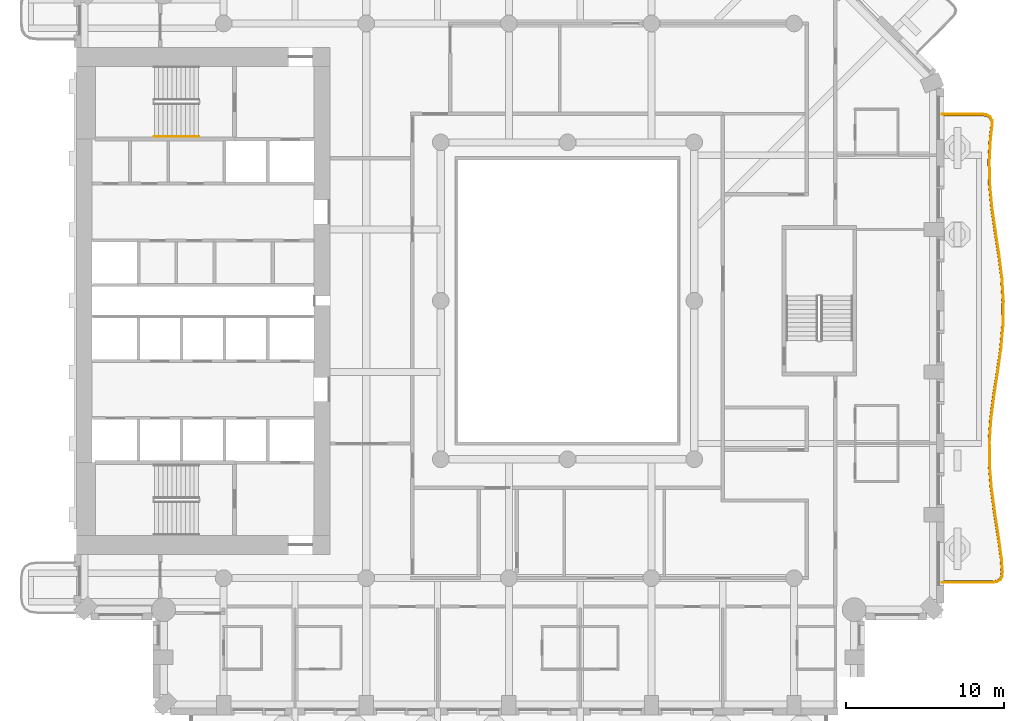
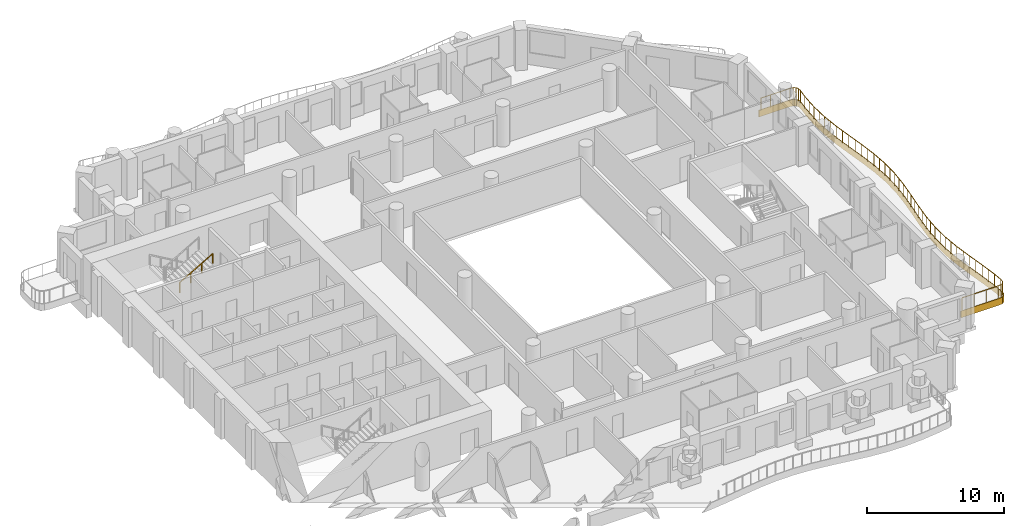
# One storey, part 16 of 20: 2 railings, 1 covering.
"""IFC4 building model written with IfcOpenShell, lengths in metres."""

from ifc_helpers import new_model, si_unit, direction, frame, origin, origin_2d, place, context, subcontext, project, spatial, polyline, rectangle, outline, extrude, material, layer, layer_set, type_object, element, save


model = new_model("IFC4")

# Units and contexts
model_context = context("Model", 3, precision=1e-05, world=origin(), true_north=direction((0.0, 1.0)))
body_context = subcontext(model_context, "Body", "Model", "MODEL_VIEW")
ifc_project = project(units=[si_unit("LENGTHUNIT", "METRE"), si_unit("AREAUNIT", "SQUARE_METRE"), si_unit("VOLUMEUNIT", "CUBIC_METRE"), si_unit("PLANEANGLEUNIT", "RADIAN"), si_unit("MASSUNIT", "GRAM", prefix="KILO")], contexts=[model_context])

# Site, building, storey
site_placement = place(None, origin())
site = spatial("IfcSite", under=ifc_project, at=site_placement, CompositionType="ELEMENT")
building_placement = place(site_placement, origin())
building = spatial("IfcBuilding", under=site, at=building_placement, Name="Cypress Arch Tower", CompositionType="ELEMENT")
storey_placement = place(building_placement, frame((0.0, 0.0, 120.300048828125)))
storey = spatial("IfcBuildingStorey", under=building, at=storey_placement, Name="L25", CompositionType="ELEMENT", Elevation=120.300048828125)

# Covering
ifc_material_1 = material(Name="White powder-coated aluminium fascia", Category="aluminium")
ifc_layer = layer(ifc_material_1, 0.050048828125)
ifc_layer_set = layer_set([ifc_layer], Name="Balcony fascia BF50")
covering_type = type_object("IfcCoveringType", Name="Balcony fascia BF50", PredefinedType="CLADDING", material=ifc_layer_set)
covering_placement = place(storey_placement, frame((0.0, 0.0, -0.60009765625)))
element("IfcCovering", 1, at=covering_placement, inside=storey, type_object=covering_type, Name="Balcony fascia L25-A06", PredefinedType="CLADDING", context=body_context, shape_type="SweptSolid", body=[
    extrude(outline(polyline([(27.19482421875, 11.800048828125), (27.496826171875, 11.75634765625), (27.711669921875, 11.61865234375), (27.8232421875, 11.388671875), (27.83056640625, 11.083984375), (27.7333984375, 10.270751953125), (27.652587890625, 8.79931640625), (27.687255859375, 7.327880859375), (27.828857421875, 5.85595703125), (28.040771484375, 4.38232421875), (28.26806640625, 2.906982421875), (28.451904296875, 1.4296875), (28.54443359375, -0.048828125), (28.521484375, -1.527587890625), (28.388916015625, -3.005615234375), (28.181396484375, -4.482421875), (27.952880859375, -5.95703125), (27.7626953125, -7.429931640625), (27.659912109375, -8.901611328125), (27.6708984375, -10.372802734375), (27.792724609375, -11.844482421875), (27.994384765625, -13.31787109375), (28.2236328125, -14.79296875), (28.420654296875, -16.269775390625), (28.483642578125, -17.0859375), (28.46337890625, -17.390380859375), (28.343505859375, -17.619140625), (28.12451171875, -17.756591796875), (27.822509765625, -17.800048828125), (24.60107421875, -17.800048828125), (24.60107421875, -17.75), (27.81884765625, -17.75), (28.10693359375, -17.70849609375), (28.305419921875, -17.583984375), (28.414306640625, -17.376708984375), (28.43359375, -17.086181640625), (28.370849609375, -16.27490234375), (28.174072265625, -14.800048828125), (27.945068359375, -13.324951171875), (27.7431640625, -11.85009765625), (27.620849609375, -10.375), (27.60986328125, -8.89990234375), (27.712890625, -7.425048828125), (27.903564453125, -5.949951171875), (28.132080078125, -4.47509765625), (28.33935546875, -3.0), (28.471435546875, -1.52490234375), (28.494384765625, -0.050048828125), (28.402099609375, 1.425048828125), (28.218505859375, 2.89990234375), (27.9912109375, 4.375), (27.779296875, 5.85009765625), (27.63720703125, 7.324951171875), (27.6025390625, 8.800048828125), (27.68359375, 10.27490234375), (27.780517578125, 11.086181640625), (27.7734375, 11.376708984375), (27.6728515625, 11.583984375), (27.478759765625, 11.70849609375), (27.19140625, 11.75), (24.60107421875, 11.75), (24.60107421875, 11.800048828125), (27.19482421875, 11.800048828125)])), origin(), (0.0, 0.0, 1.0), 0.60009765625),
])

# Railings
ifc_material_2 = material(Name="Powder-coated steel posts and rods, 100 mm clear between rods", Category="steel")
railing_type_1 = type_object("IfcRailingType", Name="Balcony guard GR1100", PredefinedType="GUARDRAIL", material=ifc_material_2)
railing_1_placement = place(storey_placement, frame((24.75, 11.699951171875, 0.0)))
element("IfcRailing", 2, at=railing_1_placement, inside=storey, type_object=railing_type_1, Name="Balcony guard L25-A06", PredefinedType="GUARDRAIL", context=body_context, shape_type="SweptSolid", body=[
    extrude(rectangle(XDim=0.050048828125, YDim=0.050048828125, at=origin_2d()), frame((0.0, 0.0, 1.0751953125), z_axis=(1.0, 0.0, 0.0), x_axis=(0.0, 1.0, 0.0)), (0.0, 0.0, 1.0), 2.437744140625),
    extrude(rectangle(XDim=0.050048828125, YDim=0.050048828125, at=origin_2d()), frame((2.437744140625, 0.0, 1.0751953125), z_axis=(0.989807470513, -0.142411977437, 0.0), x_axis=(0.142411977437, 0.989807470513, 0.0)), (0.0, 0.0, 1.0), 0.276123046875),
    extrude(rectangle(XDim=0.050048828125, YDim=0.050048828125, at=origin_2d()), frame((2.7109375, -0.039306640625, 1.0751953125), z_axis=(0.841602460972, -0.540097489058, 0.0), x_axis=(0.540097489058, 0.841602460972, 0.0)), (0.0, 0.0, 1.0), 0.20556640625),
    extrude(rectangle(XDim=0.050048828125, YDim=0.050048828125, at=origin_2d()), frame((2.884033203125, -0.150390625, 1.0751953125), z_axis=(0.435778172756, -0.900054100679, 0.0), x_axis=(0.900054100679, 0.435778172756, 0.0)), (0.0, 0.0, 1.0), 0.20556640625),
    extrude(rectangle(XDim=0.050048828125, YDim=0.050048828125, at=origin_2d()), frame((2.9736328125, -0.33544921875, 1.0751953125), z_axis=(0.024771157644, -0.999693147795, 0.0), x_axis=(0.999693147795, 0.024771157644, 0.0)), (0.0, 0.0, 1.0), 0.27587890625),
    extrude(rectangle(XDim=0.050048828125, YDim=0.050048828125, at=origin_2d()), frame((2.98046875, -0.611328125, 1.0751953125), z_axis=(-0.118613703942, -0.99294047618, 0.0), x_axis=(0.99294047618, -0.118613703942, 0.0)), (0.0, 0.0, 1.0), 0.815185546875),
    extrude(rectangle(XDim=0.050048828125, YDim=0.050048828125, at=origin_2d()), frame((2.8837890625, -1.420654296875, 1.0751953125), z_axis=(-0.054903850418, -0.998491646039, 0.0), x_axis=(0.998491646039, -0.054903850418, 0.0)), (0.0, 0.0, 1.0), 1.480712890625),
    extrude(rectangle(XDim=0.050048828125, YDim=0.050048828125, at=origin_2d()), frame((2.802490234375, -2.899169921875, 1.0751953125), z_axis=(0.023602470443, -0.999721422892, 0.0), x_axis=(0.999721422892, 0.023602470443, 0.0)), (0.0, 0.0, 1.0), 1.479248046875),
    extrude(rectangle(XDim=0.050048828125, YDim=0.050048828125, at=origin_2d()), frame((2.83740234375, -4.3779296875, 1.0751953125), z_axis=(0.095693608655, -0.99541083642, 0.0), x_axis=(0.99541083642, 0.095693608655, 0.0)), (0.0, 0.0, 1.0), 1.48486328125),
    extrude(rectangle(XDim=0.050048828125, YDim=0.050048828125, at=origin_2d()), frame((2.9794921875, -5.85595703125, 1.0751953125), z_axis=(0.142406674893, -0.98980823342, 0.0), x_axis=(0.98980823342, 0.142406674893, 0.0)), (0.0, 0.0, 1.0), 1.491455078125),
    extrude(rectangle(XDim=0.050048828125, YDim=0.050048828125, at=origin_2d()), frame((3.19189453125, -7.332275390625, 1.0751953125), z_axis=(0.152180145467, -0.988352772711, 0.0), x_axis=(0.988352772711, 0.152180145467, 0.0)), (0.0, 0.0, 1.0), 1.491943359375),
    extrude(rectangle(XDim=0.050048828125, YDim=0.050048828125, at=origin_2d()), frame((3.4189453125, -8.806884765625, 1.0751953125), z_axis=(0.12354877554, -0.992338500746, 0.0), x_axis=(0.992338500746, 0.12354877554, 0.0)), (0.0, 0.0, 1.0), 1.484130859375),
    extrude(rectangle(XDim=0.050048828125, YDim=0.050048828125, at=origin_2d()), frame((3.602294921875, -10.279541015625, 1.0751953125), z_axis=(0.062419517295, -0.998050000682, 0.0), x_axis=(0.998050000682, 0.062419517295, 0.0)), (0.0, 0.0, 1.0), 1.474609375),
    extrude(rectangle(XDim=0.050048828125, YDim=0.050048828125, at=origin_2d()), frame((3.6943359375, -11.751220703125, 1.0751953125), z_axis=(-0.015431285521, -0.999880930625, 0.0), x_axis=(0.999880930625, -0.015431285521, 0.0)), (0.0, 0.0, 1.0), 1.471435546875),
    extrude(rectangle(XDim=0.050048828125, YDim=0.050048828125, at=origin_2d()), frame((3.671630859375, -13.222412109375, 1.0751953125), z_axis=(-0.089373859467, -0.995998149217, 0.0), x_axis=(0.995998149217, -0.089373859467, 0.0)), (0.0, 0.0, 1.0), 1.477783203125),
    extrude(rectangle(XDim=0.050048828125, YDim=0.050048828125, at=origin_2d()), frame((3.53955078125, -14.6943359375, 1.0751953125), z_axis=(-0.139146721761, -0.990271775738, 0.0), x_axis=(0.990271775738, -0.139146721761, 0.0)), (0.0, 0.0, 1.0), 1.48779296875),
    extrude(rectangle(XDim=0.050048828125, YDim=0.050048828125, at=origin_2d()), frame((3.33251953125, -16.167724609375, 1.0751953125), z_axis=(-0.153089496752, -0.988212328391, 0.0), x_axis=(0.988212328391, -0.153089496752, 0.0)), (0.0, 0.0, 1.0), 1.49267578125),
    extrude(rectangle(XDim=0.050048828125, YDim=0.050048828125, at=origin_2d()), frame((3.10400390625, -17.642822265625, 1.0751953125), z_axis=(-0.128168953231, -0.991752347831, 0.0), x_axis=(0.991752347831, -0.128168953231, 0.0)), (0.0, 0.0, 1.0), 1.489501953125),
    extrude(rectangle(XDim=0.050048828125, YDim=0.050048828125, at=origin_2d()), frame((2.9130859375, -19.1201171875, 1.0751953125), z_axis=(-0.069689771314, -0.997568712307, 0.0), x_axis=(0.997568712307, -0.069689771314, 0.0)), (0.0, 0.0, 1.0), 1.48193359375),
    extrude(rectangle(XDim=0.050048828125, YDim=0.050048828125, at=origin_2d()), frame((2.809814453125, -20.598388671875, 1.0751953125), z_axis=(0.007429215475, -0.999972402998, 0.0), x_axis=(0.999972402998, 0.007429215475, 0.0)), (0.0, 0.0, 1.0), 1.478759765625),
    extrude(rectangle(XDim=0.050048828125, YDim=0.050048828125, at=origin_2d()), frame((2.82080078125, -22.0771484375, 1.0751953125), z_axis=(0.082623218828, -0.996580856584, 0.0), x_axis=(0.996580856584, 0.082623218828, 0.0)), (0.0, 0.0, 1.0), 1.4833984375),
    extrude(rectangle(XDim=0.050048828125, YDim=0.050048828125, at=origin_2d()), frame((2.943359375, -23.555419921875, 1.0751953125), z_axis=(0.135617511988, -0.990761268138, 0.0), x_axis=(0.990761268138, 0.135617511988, 0.0)), (0.0, 0.0, 1.0), 1.490478515625),
    extrude(rectangle(XDim=0.050048828125, YDim=0.050048828125, at=origin_2d()), frame((3.1455078125, -25.0322265625, 1.0751953125), z_axis=(0.153433717504, -0.988158941837, 0.0), x_axis=(0.988158941837, 0.153433717504, 0.0)), (0.0, 0.0, 1.0), 1.492431640625),
    extrude(rectangle(XDim=0.050048828125, YDim=0.050048828125, at=origin_2d()), frame((3.37451171875, -26.507080078125, 1.0751953125), z_axis=(0.132400435165, -0.991196309904, 0.0), x_axis=(0.991196309904, 0.132400435165, 0.0)), (0.0, 0.0, 1.0), 1.486328125),
    extrude(rectangle(XDim=0.050048828125, YDim=0.050048828125, at=origin_2d()), frame((3.5712890625, -27.980224609375, 1.0751953125), z_axis=(0.076696498885, -0.997054485502, 0.0), x_axis=(0.997054485502, 0.076696498885, 0.0)), (0.0, 0.0, 1.0), 0.80859375),
    extrude(rectangle(XDim=0.050048828125, YDim=0.050048828125, at=origin_2d()), frame((3.63330078125, -28.786376953125, 1.0751953125), z_axis=(-0.066109477186, -0.997812375663, 0.0), x_axis=(0.997812375663, -0.066109477186, 0.0)), (0.0, 0.0, 1.0), 0.27685546875),
    extrude(rectangle(XDim=0.050048828125, YDim=0.050048828125, at=origin_2d()), frame((3.614990234375, -29.062744140625, 1.0751953125), z_axis=(-0.464788353215, -0.885421812875, 0.0), x_axis=(0.885421812875, -0.464788353215, 0.0)), (0.0, 0.0, 1.0), 0.210205078125),
    extrude(rectangle(XDim=0.050048828125, YDim=0.050048828125, at=origin_2d()), frame((3.517333984375, -29.248779296875, 1.0751953125), z_axis=(-0.846756147172, -0.531981228265, 0.0), x_axis=(0.531981228265, -0.846756147172, 0.0)), (0.0, 0.0, 1.0), 0.210205078125),
    extrude(rectangle(XDim=0.050048828125, YDim=0.050048828125, at=origin_2d()), frame((3.33935546875, -29.360595703125, 1.0751953125), z_axis=(-0.989861078122, -0.142038889107, 0.0), x_axis=(0.142038889107, -0.989861078122, 0.0)), (0.0, 0.0, 1.0), 0.276611328125),
    extrude(rectangle(XDim=0.050048828125, YDim=0.050048828125, at=origin_2d()), frame((3.0654296875, -29.39990234375, 1.0751953125), z_axis=(-1.0, 0.0, 0.0), x_axis=(0.0, -1.0, 0.0)), (0.0, 0.0, 1.0), 3.0654296875),
    extrude(rectangle(XDim=0.0400390625, YDim=0.0400390625, at=origin_2d()), origin(), (0.0, 0.0, 1.0), 1.050048828125),
    extrude(rectangle(XDim=0.0400390625, YDim=0.0400390625, at=origin_2d()), frame((0.8125, 0.0, 0.0)), (0.0, 0.0, 1.0), 1.050048828125),
    extrude(rectangle(XDim=0.0400390625, YDim=0.0400390625, at=origin_2d()), frame((1.625244140625, 0.0, 0.0)), (0.0, 0.0, 1.0), 1.050048828125),
    extrude(rectangle(XDim=0.0400390625, YDim=0.0400390625, at=origin_2d()), frame((2.437744140625, 0.0, 0.0)), (0.0, 0.0, 1.0), 1.050048828125),
    extrude(rectangle(XDim=0.0400390625, YDim=0.0400390625, at=origin_2d()), frame((2.7109375, -0.039306640625, 0.0)), (0.0, 0.0, 1.0), 1.050048828125),
    extrude(rectangle(XDim=0.0400390625, YDim=0.0400390625, at=origin_2d()), frame((2.884033203125, -0.150390625, 0.0)), (0.0, 0.0, 1.0), 1.050048828125),
    extrude(rectangle(XDim=0.0400390625, YDim=0.0400390625, at=origin_2d()), frame((2.9736328125, -0.33544921875, 0.0)), (0.0, 0.0, 1.0), 1.050048828125),
    extrude(rectangle(XDim=0.0400390625, YDim=0.0400390625, at=origin_2d()), frame((2.98046875, -0.611328125, 0.0)), (0.0, 0.0, 1.0), 1.050048828125),
    extrude(rectangle(XDim=0.0400390625, YDim=0.0400390625, at=origin_2d()), frame((2.8837890625, -1.420654296875, 0.0)), (0.0, 0.0, 1.0), 1.050048828125),
    extrude(rectangle(XDim=0.0400390625, YDim=0.0400390625, at=origin_2d()), frame((2.84326171875, -2.159912109375, 0.0)), (0.0, 0.0, 1.0), 1.050048828125),
    extrude(rectangle(XDim=0.0400390625, YDim=0.0400390625, at=origin_2d()), frame((2.802490234375, -2.899169921875, 0.0)), (0.0, 0.0, 1.0), 1.050048828125),
    extrude(rectangle(XDim=0.0400390625, YDim=0.0400390625, at=origin_2d()), frame((2.81982421875, -3.638671875, 0.0)), (0.0, 0.0, 1.0), 1.050048828125),
    extrude(rectangle(XDim=0.0400390625, YDim=0.0400390625, at=origin_2d()), frame((2.83740234375, -4.3779296875, 0.0)), (0.0, 0.0, 1.0), 1.050048828125),
    extrude(rectangle(XDim=0.0400390625, YDim=0.0400390625, at=origin_2d()), frame((2.908447265625, -5.116943359375, 0.0)), (0.0, 0.0, 1.0), 1.050048828125),
    extrude(rectangle(XDim=0.0400390625, YDim=0.0400390625, at=origin_2d()), frame((2.9794921875, -5.85595703125, 0.0)), (0.0, 0.0, 1.0), 1.050048828125),
    extrude(rectangle(XDim=0.0400390625, YDim=0.0400390625, at=origin_2d()), frame((3.085693359375, -6.59423828125, 0.0)), (0.0, 0.0, 1.0), 1.050048828125),
    extrude(rectangle(XDim=0.0400390625, YDim=0.0400390625, at=origin_2d()), frame((3.19189453125, -7.332275390625, 0.0)), (0.0, 0.0, 1.0), 1.050048828125),
    extrude(rectangle(XDim=0.0400390625, YDim=0.0400390625, at=origin_2d()), frame((3.305419921875, -8.069580078125, 0.0)), (0.0, 0.0, 1.0), 1.050048828125),
    extrude(rectangle(XDim=0.0400390625, YDim=0.0400390625, at=origin_2d()), frame((3.4189453125, -8.806884765625, 0.0)), (0.0, 0.0, 1.0), 1.050048828125),
    extrude(rectangle(XDim=0.0400390625, YDim=0.0400390625, at=origin_2d()), frame((3.5107421875, -9.543212890625, 0.0)), (0.0, 0.0, 1.0), 1.050048828125),
    extrude(rectangle(XDim=0.0400390625, YDim=0.0400390625, at=origin_2d()), frame((3.602294921875, -10.279541015625, 0.0)), (0.0, 0.0, 1.0), 1.050048828125),
    extrude(rectangle(XDim=0.0400390625, YDim=0.0400390625, at=origin_2d()), frame((3.6484375, -11.015380859375, 0.0)), (0.0, 0.0, 1.0), 1.050048828125),
    extrude(rectangle(XDim=0.0400390625, YDim=0.0400390625, at=origin_2d()), frame((3.6943359375, -11.751220703125, 0.0)), (0.0, 0.0, 1.0), 1.050048828125),
    extrude(rectangle(XDim=0.0400390625, YDim=0.0400390625, at=origin_2d()), frame((3.68310546875, -12.48681640625, 0.0)), (0.0, 0.0, 1.0), 1.050048828125),
    extrude(rectangle(XDim=0.0400390625, YDim=0.0400390625, at=origin_2d()), frame((3.671630859375, -13.222412109375, 0.0)), (0.0, 0.0, 1.0), 1.050048828125),
    extrude(rectangle(XDim=0.0400390625, YDim=0.0400390625, at=origin_2d()), frame((3.60546875, -13.95849609375, 0.0)), (0.0, 0.0, 1.0), 1.050048828125),
    extrude(rectangle(XDim=0.0400390625, YDim=0.0400390625, at=origin_2d()), frame((3.53955078125, -14.6943359375, 0.0)), (0.0, 0.0, 1.0), 1.050048828125),
    extrude(rectangle(XDim=0.0400390625, YDim=0.0400390625, at=origin_2d()), frame((3.43603515625, -15.43115234375, 0.0)), (0.0, 0.0, 1.0), 1.050048828125),
    extrude(rectangle(XDim=0.0400390625, YDim=0.0400390625, at=origin_2d()), frame((3.33251953125, -16.167724609375, 0.0)), (0.0, 0.0, 1.0), 1.050048828125),
    extrude(rectangle(XDim=0.0400390625, YDim=0.0400390625, at=origin_2d()), frame((3.21826171875, -16.9052734375, 0.0)), (0.0, 0.0, 1.0), 1.050048828125),
    extrude(rectangle(XDim=0.0400390625, YDim=0.0400390625, at=origin_2d()), frame((3.10400390625, -17.642822265625, 0.0)), (0.0, 0.0, 1.0), 1.050048828125),
    extrude(rectangle(XDim=0.0400390625, YDim=0.0400390625, at=origin_2d()), frame((3.008544921875, -18.38134765625, 0.0)), (0.0, 0.0, 1.0), 1.050048828125),
    extrude(rectangle(XDim=0.0400390625, YDim=0.0400390625, at=origin_2d()), frame((2.9130859375, -19.1201171875, 0.0)), (0.0, 0.0, 1.0), 1.050048828125),
    extrude(rectangle(XDim=0.0400390625, YDim=0.0400390625, at=origin_2d()), frame((2.861328125, -19.859375, 0.0)), (0.0, 0.0, 1.0), 1.050048828125),
    extrude(rectangle(XDim=0.0400390625, YDim=0.0400390625, at=origin_2d()), frame((2.809814453125, -20.598388671875, 0.0)), (0.0, 0.0, 1.0), 1.050048828125),
    extrude(rectangle(XDim=0.0400390625, YDim=0.0400390625, at=origin_2d()), frame((2.8154296875, -21.337890625, 0.0)), (0.0, 0.0, 1.0), 1.050048828125),
    extrude(rectangle(XDim=0.0400390625, YDim=0.0400390625, at=origin_2d()), frame((2.82080078125, -22.0771484375, 0.0)), (0.0, 0.0, 1.0), 1.050048828125),
    extrude(rectangle(XDim=0.0400390625, YDim=0.0400390625, at=origin_2d()), frame((2.882080078125, -22.81640625, 0.0)), (0.0, 0.0, 1.0), 1.050048828125),
    extrude(rectangle(XDim=0.0400390625, YDim=0.0400390625, at=origin_2d()), frame((2.943359375, -23.555419921875, 0.0)), (0.0, 0.0, 1.0), 1.050048828125),
    extrude(rectangle(XDim=0.0400390625, YDim=0.0400390625, at=origin_2d()), frame((3.04443359375, -24.2939453125, 0.0)), (0.0, 0.0, 1.0), 1.050048828125),
    extrude(rectangle(XDim=0.0400390625, YDim=0.0400390625, at=origin_2d()), frame((3.1455078125, -25.0322265625, 0.0)), (0.0, 0.0, 1.0), 1.050048828125),
    extrude(rectangle(XDim=0.0400390625, YDim=0.0400390625, at=origin_2d()), frame((3.260009765625, -25.76953125, 0.0)), (0.0, 0.0, 1.0), 1.050048828125),
    extrude(rectangle(XDim=0.0400390625, YDim=0.0400390625, at=origin_2d()), frame((3.37451171875, -26.507080078125, 0.0)), (0.0, 0.0, 1.0), 1.050048828125),
    extrude(rectangle(XDim=0.0400390625, YDim=0.0400390625, at=origin_2d()), frame((3.472900390625, -27.24365234375, 0.0)), (0.0, 0.0, 1.0), 1.050048828125),
    extrude(rectangle(XDim=0.0400390625, YDim=0.0400390625, at=origin_2d()), frame((3.5712890625, -27.980224609375, 0.0)), (0.0, 0.0, 1.0), 1.050048828125),
    extrude(rectangle(XDim=0.0400390625, YDim=0.0400390625, at=origin_2d()), frame((3.63330078125, -28.786376953125, 0.0)), (0.0, 0.0, 1.0), 1.050048828125),
    extrude(rectangle(XDim=0.0400390625, YDim=0.0400390625, at=origin_2d()), frame((3.614990234375, -29.062744140625, 0.0)), (0.0, 0.0, 1.0), 1.050048828125),
    extrude(rectangle(XDim=0.0400390625, YDim=0.0400390625, at=origin_2d()), frame((3.517333984375, -29.248779296875, 0.0)), (0.0, 0.0, 1.0), 1.050048828125),
    extrude(rectangle(XDim=0.0400390625, YDim=0.0400390625, at=origin_2d()), frame((3.33935546875, -29.360595703125, 0.0)), (0.0, 0.0, 1.0), 1.050048828125),
    extrude(rectangle(XDim=0.0400390625, YDim=0.0400390625, at=origin_2d()), frame((3.0654296875, -29.39990234375, 0.0)), (0.0, 0.0, 1.0), 1.050048828125),
    extrude(rectangle(XDim=0.0400390625, YDim=0.0400390625, at=origin_2d()), frame((2.043701171875, -29.39990234375, 0.0)), (0.0, 0.0, 1.0), 1.050048828125),
    extrude(rectangle(XDim=0.0400390625, YDim=0.0400390625, at=origin_2d()), frame((1.021728515625, -29.39990234375, 0.0)), (0.0, 0.0, 1.0), 1.050048828125),
    extrude(rectangle(XDim=0.0400390625, YDim=0.0400390625, at=origin_2d()), frame((0.0, -29.39990234375, 0.0)), (0.0, 0.0, 1.0), 1.050048828125),
])
ifc_material_3 = material(Name="Black powder-coated steel square bar 48 mm", Category="steel")
railing_type_2 = type_object("IfcRailingType", Name="Stair handrail HR1", PredefinedType="HANDRAIL", material=ifc_material_3)
railing_2_placement = place(storey_placement, frame((-25.074951171875, 10.375, 1.963623046875)))
element("IfcRailing", 3, at=railing_2_placement, inside=storey, type_object=railing_type_2, Name="L25 B stair handrail 2", PredefinedType="HANDRAIL", context=body_context, shape_type="SweptSolid", body=[
    extrude(rectangle(XDim=0.048095703125, YDim=0.048095703125, at=origin_2d()), frame((0.0, 0.0, 0.8759765625), z_axis=(0.863393664356, 0.0, 0.504530851732), x_axis=(0.0, 1.0, 0.0)), (0.0, 0.0, 1.0), 3.2431640625),
    extrude(rectangle(XDim=0.0419921875, YDim=0.0419921875, at=origin_2d()), origin(), (0.0, 0.0, 1.0), 0.851806640625),
    extrude(rectangle(XDim=0.0419921875, YDim=0.0419921875, at=origin_2d()), frame((0.933349609375, 0.0, 0.54541015625)), (0.0, 0.0, 1.0), 0.851806640625),
    extrude(rectangle(XDim=0.0419921875, YDim=0.0419921875, at=origin_2d()), frame((1.86669921875, 0.0, 1.0908203125)), (0.0, 0.0, 1.0), 0.851806640625),
    extrude(rectangle(XDim=0.0419921875, YDim=0.0419921875, at=origin_2d()), frame((2.800048828125, 0.0, 1.63623046875)), (0.0, 0.0, 1.0), 0.851806640625),
])

save(model, "model.ifc")
